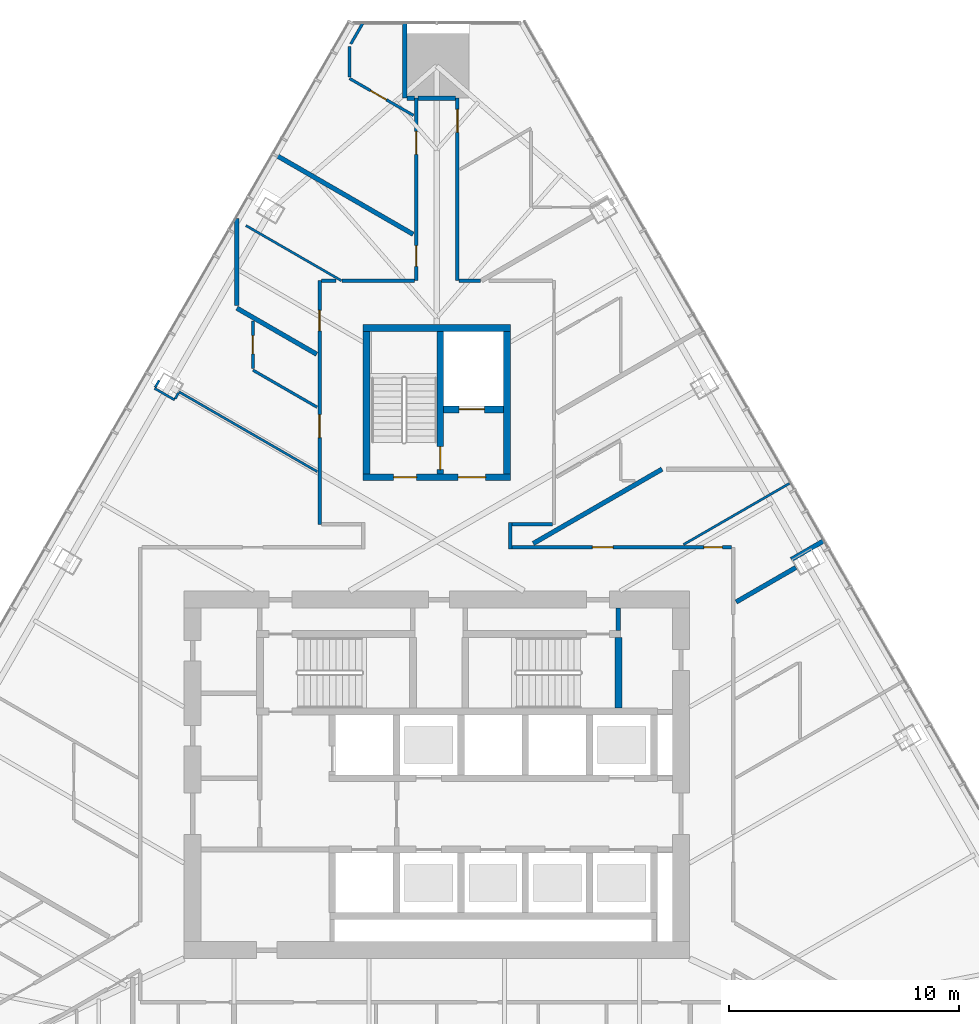
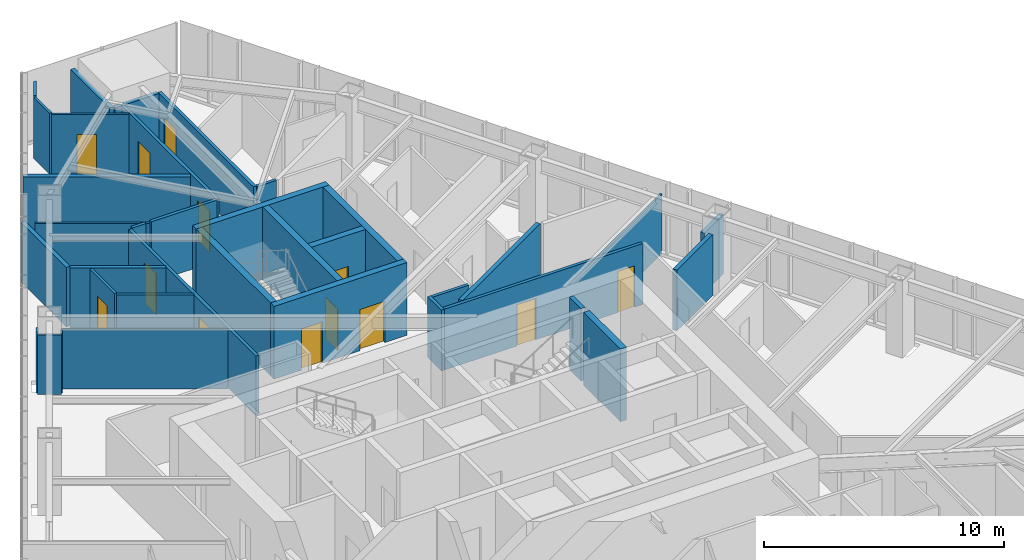
# One storey, part 16 of 19: 37 walls, 13 doors, 13 openings.
"""IFC4 building model written with IfcOpenShell, lengths in metres."""

from ifc_helpers import new_model, si_unit, direction, frame, frame_2d, origin, place, context, subcontext, project, spatial, rectangle, extrude, material, layer, layer_set, type_object, element, fill, save


model = new_model("IFC4")

# Units and contexts
model_context = context("Model", 3, precision=1e-05, world=origin(), true_north=direction((0.0, 1.0)))
body_context = subcontext(model_context, "Body", "Model", "MODEL_VIEW")
ifc_project = project(units=[si_unit("LENGTHUNIT", "METRE"), si_unit("AREAUNIT", "SQUARE_METRE"), si_unit("VOLUMEUNIT", "CUBIC_METRE"), si_unit("PLANEANGLEUNIT", "RADIAN"), si_unit("MASSUNIT", "GRAM", prefix="KILO")], contexts=[model_context])

# Site, building, storey
site_placement = place(None, origin())
site = spatial("IfcSite", under=ifc_project, at=site_placement, CompositionType="ELEMENT")
building_placement = place(site_placement, origin())
building = spatial("IfcBuilding", under=site, at=building_placement, Name="Firuza Gate Tower and Library", CompositionType="ELEMENT")
storey_placement = place(building_placement, frame((0.0, 0.0, 179.199951171875)))
storey = spatial("IfcBuildingStorey", under=building, at=storey_placement, Name="L41", CompositionType="ELEMENT", Elevation=179.199951171875)

# Walls
ifc_material_1 = material(Name="Plasterboard on steel studs", Category="steel")
ifc_layer_1 = layer(ifc_material_1, 0.199951171875)
ifc_layer_set_1 = layer_set([ifc_layer_1], Name="Core partition 200 EI 60")
wall_type_1 = type_object("IfcWallType", Name="Core partition 200 EI 60", PredefinedType="PARTITIONING", material=ifc_layer_set_1)
wall_1_placement = place(storey_placement, frame((82.89990234375, 81.280029296875, 0.0), z_axis=(0.0, 0.0, 1.0), x_axis=(0.0, 1.0, 0.0)))
element("IfcWall", 1, at=wall_1_placement, inside=storey, type_object=wall_type_1, Name="Core partition L41 13", PredefinedType="PARTITIONING", context=body_context, shape_type="SweptSolid", body=[
    extrude(rectangle(XDim=0.969970703125, YDim=0.199951171875, at=frame_2d((0.48486328125, 0.0))), origin(), (0.0, 0.0, 1.0), 3.699951171875),
])
ifc_material_2 = material(Name="Concrete C80/95", Category="concrete")
ifc_layer_2 = layer(ifc_material_2, 0.300048828125)
ifc_layer_set_2 = layer_set([ifc_layer_2], Name="Core wall 300 C80/95")
wall_type_2 = type_object("IfcWallType", Name="Core wall 300 C80/95", PredefinedType="SHEAR", material=ifc_layer_set_2)
wall_2_placement = place(storey_placement, frame((82.89990234375, 77.89990234375, 0.0), z_axis=(0.0, 0.0, 1.0), x_axis=(0.0, 1.0, 0.0)))
element("IfcWall", 2, at=wall_2_placement, inside=storey, type_object=wall_type_2, Name="Core wall L41 26", PredefinedType="SHEAR", context=body_context, shape_type="SweptSolid", body=[
    extrude(rectangle(XDim=3.080078125, YDim=0.300048828125, at=frame_2d((1.5400390625, 0.0))), origin(), (0.0, 0.0, 1.0), 3.699951171875),
])

# Wall, openings, doors
wall_3_placement = place(storey_placement, frame((71.800048828125, 87.949951171875, 0.0), z_axis=(0.0, 0.0, 1.0), x_axis=(1.0, 0.0, 0.0)))
wall_3 = element("IfcWall", 3, at=wall_3_placement, inside=storey, type_object=wall_type_2, Name="Core wall L41 27", PredefinedType="SHEAR", context=body_context, shape_type="SweptSolid", body=[
    extrude(rectangle(XDim=6.39990234375, YDim=0.300048828125, at=frame_2d((3.199951171875, 0.0))), origin(), (0.0, 0.0, 1.0), 3.699951171875),
])
opening_1_placement = place(wall_3_placement, frame((1.324951171875, 0.0, 0.0)))
opening_1 = element("IfcOpeningElement", 4, at=opening_1_placement, cuts=wall_3, Name="Opening L41-K15", PredefinedType="OPENING", context=body_context, shape_type="SweptSolid", body=[
    extrude(rectangle(XDim=1.0, YDim=2.10009765625, at=frame_2d((0.5, 1.050048828125))), frame((0.0, 0.16015625, 0.0), z_axis=(0.0, -1.0, 0.0), x_axis=(1.0, 0.0, 0.0)), (0.0, 0.0, 1.0), 0.320068359375),
])
opening_2_placement = place(wall_3_placement, frame((4.125, 0.0, 0.0)))
opening_2 = element("IfcOpeningElement", 5, at=opening_2_placement, cuts=wall_3, Name="Opening L41-K17", PredefinedType="OPENING", context=body_context, shape_type="SweptSolid", body=[
    extrude(rectangle(XDim=1.199951171875, YDim=2.10009765625, at=frame_2d((0.60009765625, 1.050048828125))), frame((0.0, 0.16015625, 0.0), z_axis=(0.0, -1.0, 0.0), x_axis=(1.0, 0.0, 0.0)), (0.0, 0.0, 1.0), 0.320068359375),
])
ifc_material_3 = material(Name="Steel", Category="steel")
door_type_1 = type_object("IfcDoorType", Name="Fire door 1000x2100 FD90", OperationType="NOTDEFINED", PredefinedType="DOOR", material=ifc_material_3)
door_1_placement = place(opening_1_placement, origin())
door_1 = element("IfcDoor", 6, at=door_1_placement, inside=storey, type_object=door_type_1, Name="Door L41-K15", OperationType="SINGLE_SWING_RIGHT", OverallHeight=2.10009765625, OverallWidth=1.0, PredefinedType="DOOR", context=body_context, shape_type="SweptSolid", body=[
    extrude(rectangle(XDim=1.0, YDim=2.10009765625, at=frame_2d((0.5, 1.050048828125))), frame((0.0, 0.02490234375, 0.0), z_axis=(0.0, -1.0, 0.0), x_axis=(1.0, 0.0, 0.0)), (0.0, 0.0, 1.0), 0.050048828125),
])
fill(opening_1, door_1)
ifc_material_4 = material(Name="Steel", Category="steel")
door_type_2 = type_object("IfcDoorType", Name="Fire door 1200x2100 FD30S", OperationType="NOTDEFINED", PredefinedType="DOOR", material=ifc_material_4)
door_2_placement = place(opening_2_placement, origin())
door_2 = element("IfcDoor", 7, at=door_2_placement, inside=storey, type_object=door_type_2, Name="Door L41-K17", OperationType="SINGLE_SWING_RIGHT", OverallHeight=2.10009765625, OverallWidth=1.199951171875, PredefinedType="DOOR", context=body_context, shape_type="SweptSolid", body=[
    extrude(rectangle(XDim=1.199951171875, YDim=2.10009765625, at=frame_2d((0.60009765625, 1.050048828125))), frame((0.0, 0.02490234375, 0.0), z_axis=(0.0, -1.0, 0.0), x_axis=(1.0, 0.0, 0.0)), (0.0, 0.0, 1.0), 0.050048828125),
])
fill(opening_2, door_2)

# Walls
wall_4_placement = place(storey_placement, frame((71.800048828125, 94.449951171875, 0.0), z_axis=(0.0, 0.0, 1.0), x_axis=(1.0, 0.0, 0.0)))
element("IfcWall", 8, at=wall_4_placement, inside=storey, type_object=wall_type_2, Name="Core wall L41 28", PredefinedType="SHEAR", context=body_context, shape_type="SweptSolid", body=[
    extrude(rectangle(XDim=6.39990234375, YDim=0.300048828125, at=frame_2d((3.199951171875, 0.0))), origin(), (0.0, 0.0, 1.0), 3.699951171875),
])
for number, where, z_axis, x_axis, name in (
    (9, (71.949951171875, 88.10009765625, 0.0), (0.0, 0.0, 1.0), (0.0, 1.0, 0.0), "Core wall L41 29"),
    (10, (78.050048828125, 88.10009765625, 0.0), (0.0, 0.0, 1.0), (0.0, 1.0, 0.0), "Core wall L41 30"),
):
    element("IfcWall", number, at=place(storey_placement, frame(where, z_axis=z_axis, x_axis=x_axis)), inside=storey, type_object=wall_type_2, Name=name, PredefinedType="SHEAR", context=body_context, shape_type="SweptSolid", body=[
        extrude(rectangle(XDim=6.199951171875, YDim=0.300048828125, at=frame_2d((3.10009765625, 0.0))), origin(), (0.0, 0.0, 1.0), 3.699951171875),
    ])

# Wall, opening, door
wall_5_placement = place(storey_placement, frame((75.300048828125, 90.89990234375, 0.0), z_axis=(0.0, 0.0, 1.0), x_axis=(1.0, 0.0, 0.0)))
wall_5 = element("IfcWall", 11, at=wall_5_placement, inside=storey, type_object=wall_type_2, Name="Core wall L41 31", PredefinedType="SHEAR", context=body_context, shape_type="SweptSolid", body=[
    extrude(rectangle(XDim=2.599853515625, YDim=0.300048828125, at=frame_2d((1.2998046875, 0.0))), origin(), (0.0, 0.0, 1.0), 3.699951171875),
])
opening_3_placement = place(wall_5_placement, frame((0.675048828125, 0.0, 0.0)))
opening_3 = element("IfcOpeningElement", 12, at=opening_3_placement, cuts=wall_5, Name="Opening LD-SV1-L41", PredefinedType="OPENING", context=body_context, shape_type="SweptSolid", body=[
    extrude(rectangle(XDim=1.10009765625, YDim=2.10009765625, at=frame_2d((0.550048828125, 1.050048828125))), frame((0.0, 0.16015625, 0.0), z_axis=(0.0, -1.0, 0.0), x_axis=(1.0, 0.0, 0.0)), (0.0, 0.0, 1.0), 0.320068359375),
])
ifc_material_5 = material(Name="Stainless steel", Category="steel")
door_type_3 = type_object("IfcDoorType", Name="Lift landing door 1100x2100", OperationType="DOUBLE_DOOR_SLIDING", PredefinedType="DOOR", material=ifc_material_5)
door_3_placement = place(opening_3_placement, origin())
door_3 = element("IfcDoor", 13, at=door_3_placement, inside=storey, type_object=door_type_3, Name="Landing door SV1 L41", OperationType="DOUBLE_DOOR_SLIDING", OverallHeight=2.10009765625, OverallWidth=1.10009765625, PredefinedType="DOOR", context=body_context, shape_type="SweptSolid", body=[
    extrude(rectangle(XDim=1.10009765625, YDim=2.10009765625, at=frame_2d((0.550048828125, 1.050048828125))), frame((0.0, 0.02490234375, 0.0), z_axis=(0.0, -1.0, 0.0), x_axis=(1.0, 0.0, 0.0)), (0.0, 0.0, 1.0), 0.050048828125),
])
fill(opening_3, door_3)

wall_6_placement = place(storey_placement, frame((75.14990234375, 88.10009765625, 0.0), z_axis=(0.0, 0.0, 1.0), x_axis=(0.0, 1.0, 0.0)))
wall_6 = element("IfcWall", 14, at=wall_6_placement, inside=storey, type_object=wall_type_2, Name="Core wall L41 32", PredefinedType="SHEAR", context=body_context, shape_type="SweptSolid", body=[
    extrude(rectangle(XDim=6.199951171875, YDim=0.300048828125, at=frame_2d((3.10009765625, 0.0))), origin(), (0.0, 0.0, 1.0), 3.699951171875),
])
opening_4_placement = place(wall_6_placement, frame((0.18505859375, 0.0, 0.0)))
opening_4 = element("IfcOpeningElement", 15, at=opening_4_placement, cuts=wall_6, Name="Opening L41-K16", PredefinedType="OPENING", context=body_context, shape_type="SweptSolid", body=[
    extrude(rectangle(XDim=1.0, YDim=2.10009765625, at=frame_2d((0.5, 1.050048828125))), frame((0.0, 0.16015625, 0.0), z_axis=(0.0, -1.0, 0.0), x_axis=(1.0, 0.0, 0.0)), (0.0, 0.0, 1.0), 0.320068359375),
])
door_4_placement = place(opening_4_placement, origin())
door_4 = element("IfcDoor", 16, at=door_4_placement, inside=storey, type_object=door_type_1, Name="Door L41-K16", OperationType="SINGLE_SWING_LEFT", OverallHeight=2.10009765625, OverallWidth=1.0, PredefinedType="DOOR", context=body_context, shape_type="SweptSolid", body=[
    extrude(rectangle(XDim=1.0, YDim=2.10009765625, at=frame_2d((0.5, 1.050048828125))), frame((0.0, 0.02490234375, 0.0), z_axis=(0.0, -1.0, 0.0), x_axis=(1.0, 0.0, 0.0)), (0.0, 0.0, 1.0), 0.050048828125),
])
fill(opening_4, door_4)

# Wall, openings, doors
ifc_material_6 = material(Name="Gypsum board partition")
ifc_layer_3 = layer(ifc_material_6, 0.14990234375)
ifc_layer_set_3 = layer_set([ifc_layer_3], Name="Corridor wall 150 double board on steel studs")
wall_type_3 = type_object("IfcWallType", Name="Corridor wall 150 double board on steel studs", PredefinedType="PARTITIONING", material=ifc_layer_set_3)
wall_7_placement = place(storey_placement, frame((78.27490234375, 84.89990234375, 0.0), z_axis=(0.0, 0.0, 1.0), x_axis=(1.0, 0.0, 0.0)))
wall_7 = element("IfcWall", 17, at=wall_7_placement, inside=storey, type_object=wall_type_3, Name="f:L41:w011", PredefinedType="PARTITIONING", context=body_context, shape_type="SweptSolid", body=[
    extrude(rectangle(XDim=9.550048828125, YDim=0.14990234375, at=frame_2d((4.77490234375, 0.0))), origin(), (0.0, 0.0, 1.0), 3.10009765625),
])
opening_5_placement = place(wall_7_placement, frame((3.4970703125, 0.0, 0.0)))
opening_5 = element("IfcOpeningElement", 18, at=opening_5_placement, cuts=wall_7, Name="Opening L41-10", PredefinedType="OPENING", context=body_context, shape_type="SweptSolid", body=[
    extrude(rectangle(XDim=0.89990234375, YDim=2.10009765625, at=frame_2d((0.449951171875, 1.050048828125))), frame((0.0, 0.0849609375, 0.0), z_axis=(0.0, -1.0, 0.0), x_axis=(1.0, 0.0, 0.0)), (0.0, 0.0, 1.0), 0.169921875),
])
opening_6_placement = place(wall_7_placement, frame((8.3505859375, 0.0, 0.0)))
opening_6 = element("IfcOpeningElement", 19, at=opening_6_placement, cuts=wall_7, Name="Opening L41-11", PredefinedType="OPENING", context=body_context, shape_type="SweptSolid", body=[
    extrude(rectangle(XDim=0.800048828125, YDim=2.10009765625, at=frame_2d((0.39990234375, 1.050048828125))), frame((0.0, 0.0849609375, 0.0), z_axis=(0.0, -1.0, 0.0), x_axis=(1.0, 0.0, 0.0)), (0.0, 0.0, 1.0), 0.169921875),
])
ifc_material_7 = material(Name="Timber door", Category="wood")
door_type_4 = type_object("IfcDoorType", Name="Door 800 x 2100 timber leaf", OperationType="NOTDEFINED", PredefinedType="DOOR", material=ifc_material_7)
door_5_placement = place(opening_6_placement, origin())
door_5 = element("IfcDoor", 20, at=door_5_placement, inside=storey, type_object=door_type_4, Name="f:L41:d011", OperationType="SINGLE_SWING_RIGHT", OverallHeight=2.10009765625, OverallWidth=0.800048828125, PredefinedType="DOOR", context=body_context, shape_type="SweptSolid", body=[
    extrude(rectangle(XDim=0.800048828125, YDim=2.10009765625, at=frame_2d((0.39990234375, 1.050048828125))), frame((0.0, 0.02490234375, 0.0), z_axis=(0.0, -1.0, 0.0), x_axis=(1.0, 0.0, 0.0)), (0.0, 0.0, 1.0), 0.050048828125),
])
fill(opening_6, door_5)
ifc_material_8 = material(Name="Steel door and timber leaf", Category="steel")
door_type_5 = type_object("IfcDoorType", Name="Fire door 900 x 2100 steel frame, timber leaf", OperationType="NOTDEFINED", PredefinedType="DOOR", material=ifc_material_8)
door_6_placement = place(opening_5_placement, origin())
door_6 = element("IfcDoor", 21, at=door_6_placement, inside=storey, type_object=door_type_5, Name="f:L41:d010", OperationType="SINGLE_SWING_LEFT", OverallHeight=2.10009765625, OverallWidth=0.89990234375, PredefinedType="DOOR", context=body_context, shape_type="SweptSolid", body=[
    extrude(rectangle(XDim=0.89990234375, YDim=2.10009765625, at=frame_2d((0.449951171875, 1.050048828125))), frame((0.0, 0.02490234375, 0.0), z_axis=(0.0, -1.0, 0.0), x_axis=(1.0, 0.0, 0.0)), (0.0, 0.0, 1.0), 0.050048828125),
])
fill(opening_5, door_6)

# Walls
wall_8_placement = place(storey_placement, frame((78.27490234375, 85.89990234375, 0.0), z_axis=(0.0, 0.0, 1.0), x_axis=(1.0, 0.0, 0.0)))
element("IfcWall", 22, at=wall_8_placement, inside=storey, type_object=wall_type_3, Name="f:L41:w013", PredefinedType="PARTITIONING", context=body_context, shape_type="SweptSolid", body=[
    extrude(rectangle(XDim=1.75, YDim=0.14990234375, at=frame_2d((0.875, 0.0))), origin(), (0.0, 0.0, 1.0), 3.10009765625),
])
wall_9_placement = place(storey_placement, frame((69.97509765625, 96.5, 0.0), z_axis=(0.0, 0.0, 1.0), x_axis=(1.0, 0.0, 0.0)))
element("IfcWall", 23, at=wall_9_placement, inside=storey, type_object=wall_type_3, Name="f:L41:w016", PredefinedType="PARTITIONING", context=body_context, shape_type="SweptSolid", body=[
    extrude(rectangle(XDim=0.64599609375, YDim=0.14990234375, at=frame_2d((0.322998046875, 0.0))), origin(), (0.0, 0.0, 1.0), 3.10009765625),
])
wall_10_placement = place(storey_placement, frame((75.97509765625, 96.5, 0.0), z_axis=(0.0, 0.0, 1.0), x_axis=(1.0, 0.0, 0.0)))
element("IfcWall", 24, at=wall_10_placement, inside=storey, type_object=wall_type_3, Name="f:L41:w017", PredefinedType="PARTITIONING", context=body_context, shape_type="SweptSolid", body=[
    extrude(rectangle(XDim=0.92529296875, YDim=0.14990234375, at=frame_2d((0.462646484375, 0.0))), origin(), (0.0, 0.0, 1.0), 3.10009765625),
])
wall_11_placement = place(storey_placement, frame((78.199951171875, 84.824951171875, 0.0), z_axis=(0.0, 0.0, 1.0), x_axis=(0.0, 1.0, 0.0)))
element("IfcWall", 25, at=wall_11_placement, inside=storey, type_object=wall_type_3, Name="f:L41:w057", PredefinedType="PARTITIONING", context=body_context, shape_type="SweptSolid", body=[
    extrude(rectangle(XDim=1.150146484375, YDim=0.14990234375, at=frame_2d((0.5751953125, 0.0))), origin(), (0.0, 0.0, 1.0), 3.10009765625),
])

# Wall, opening, door
wall_12_placement = place(storey_placement, frame((75.89990234375, 104.444580078125, 0.0), z_axis=(0.0, 0.0, 1.0), x_axis=(0.0, -1.0, 0.0)))
wall_12 = element("IfcWall", 26, at=wall_12_placement, inside=storey, type_object=wall_type_3, Name="f:L41:w058", PredefinedType="PARTITIONING", context=body_context, shape_type="SweptSolid", body=[
    extrude(rectangle(XDim=7.944580078125, YDim=0.14990234375, at=frame_2d((3.97216796875, 0.0))), origin(), (0.0, 0.0, 1.0), 3.10009765625),
])
opening_7_placement = place(wall_12_placement, frame((0.49462890625, 0.0, 0.0)))
opening_7 = element("IfcOpeningElement", 27, at=opening_7_placement, cuts=wall_12, Name="Opening L41-29", PredefinedType="OPENING", context=body_context, shape_type="SweptSolid", body=[
    extrude(rectangle(XDim=1.0, YDim=2.10009765625, at=frame_2d((0.5, 1.050048828125))), frame((0.0, 0.0849609375, 0.0), z_axis=(0.0, -1.0, 0.0), x_axis=(1.0, 0.0, 0.0)), (0.0, 0.0, 1.0), 0.169921875),
])
ifc_material_9 = material(Name="Steel door and timber leaf", Category="steel")
door_type_6 = type_object("IfcDoorType", Name="Fire door 1000 x 2100 steel frame, timber leaf", OperationType="NOTDEFINED", PredefinedType="DOOR", material=ifc_material_9)
door_7_placement = place(opening_7_placement, origin())
door_7 = element("IfcDoor", 28, at=door_7_placement, inside=storey, type_object=door_type_6, Name="f:L41:d029", OperationType="SINGLE_SWING_LEFT", OverallHeight=2.10009765625, OverallWidth=1.0, PredefinedType="DOOR", context=body_context, shape_type="SweptSolid", body=[
    extrude(rectangle(XDim=1.0, YDim=2.10009765625, at=frame_2d((0.5, 1.050048828125))), frame((0.0, 0.02490234375, 0.0), z_axis=(0.0, -1.0, 0.0), x_axis=(1.0, 0.0, 0.0)), (0.0, 0.0, 1.0), 0.050048828125),
])
fill(opening_7, door_7)

# Wall, openings, doors
wall_13_placement = place(storey_placement, frame((74.10009765625, 96.5, 0.0), z_axis=(0.0, 0.0, 1.0), x_axis=(0.0, 1.0, 0.0)))
wall_13 = element("IfcWall", 29, at=wall_13_placement, inside=storey, type_object=wall_type_3, Name="f:L41:w061", PredefinedType="PARTITIONING", context=body_context, shape_type="SweptSolid", body=[
    extrude(rectangle(XDim=7.945068359375, YDim=0.14990234375, at=frame_2d((3.97265625, 0.0))), origin(), (0.0, 0.0, 1.0), 3.10009765625),
])
opening_8_placement = place(wall_13_placement, frame((0.6240234375, 0.0, 0.0)))
opening_8 = element("IfcOpeningElement", 30, at=opening_8_placement, cuts=wall_13, Name="Opening L41-30", PredefinedType="OPENING", context=body_context, shape_type="SweptSolid", body=[
    extrude(rectangle(XDim=0.89990234375, YDim=2.10009765625, at=frame_2d((0.449951171875, 1.050048828125))), frame((0.0, 0.0849609375, 0.0), z_axis=(0.0, -1.0, 0.0), x_axis=(1.0, 0.0, 0.0)), (0.0, 0.0, 1.0), 0.169921875),
])
opening_9_placement = place(wall_13_placement, frame((5.5009765625, 0.0, 0.0)))
opening_9 = element("IfcOpeningElement", 31, at=opening_9_placement, cuts=wall_13, Name="Opening L41-31", PredefinedType="OPENING", context=body_context, shape_type="SweptSolid", body=[
    extrude(rectangle(XDim=1.0, YDim=2.10009765625, at=frame_2d((0.5, 1.050048828125))), frame((0.0, 0.0849609375, 0.0), z_axis=(0.0, -1.0, 0.0), x_axis=(1.0, 0.0, 0.0)), (0.0, 0.0, 1.0), 0.169921875),
])
door_8_placement = place(opening_9_placement, origin())
door_8 = element("IfcDoor", 32, at=door_8_placement, inside=storey, type_object=door_type_6, Name="f:L41:d031", OperationType="SINGLE_SWING_RIGHT", OverallHeight=2.10009765625, OverallWidth=1.0, PredefinedType="DOOR", context=body_context, shape_type="SweptSolid", body=[
    extrude(rectangle(XDim=1.0, YDim=2.10009765625, at=frame_2d((0.5, 1.050048828125))), frame((0.0, 0.02490234375, 0.0), z_axis=(0.0, -1.0, 0.0), x_axis=(1.0, 0.0, 0.0)), (0.0, 0.0, 1.0), 0.050048828125),
])
fill(opening_9, door_8)
door_9_placement = place(opening_8_placement, origin())
door_9 = element("IfcDoor", 33, at=door_9_placement, inside=storey, type_object=door_type_5, Name="f:L41:d030", OperationType="SINGLE_SWING_RIGHT", OverallHeight=2.10009765625, OverallWidth=0.89990234375, PredefinedType="DOOR", context=body_context, shape_type="SweptSolid", body=[
    extrude(rectangle(XDim=0.89990234375, YDim=2.10009765625, at=frame_2d((0.449951171875, 1.050048828125))), frame((0.0, 0.02490234375, 0.0), z_axis=(0.0, -1.0, 0.0), x_axis=(1.0, 0.0, 0.0)), (0.0, 0.0, 1.0), 0.050048828125),
])
fill(opening_8, door_9)

wall_14_placement = place(storey_placement, frame((69.89990234375, 85.900390625, 0.0), z_axis=(0.0, 0.0, 1.0), x_axis=(0.0, 1.0, 0.0)))
wall_14 = element("IfcWall", 34, at=wall_14_placement, inside=storey, type_object=wall_type_3, Name="f:L41:w067", PredefinedType="PARTITIONING", context=body_context, shape_type="SweptSolid", body=[
    extrude(rectangle(XDim=10.599609375, YDim=0.14990234375, at=frame_2d((5.2998046875, 0.0))), origin(), (0.0, 0.0, 1.0), 3.02197265625),
])
opening_10_placement = place(wall_14_placement, frame((3.76708984375, 0.0, 0.0)))
opening_10 = element("IfcOpeningElement", 35, at=opening_10_placement, cuts=wall_14, Name="Opening L41-33", PredefinedType="OPENING", context=body_context, shape_type="SweptSolid", body=[
    extrude(rectangle(XDim=1.0, YDim=2.10009765625, at=frame_2d((0.5, 1.050048828125))), frame((0.0, 0.0849609375, 0.0), z_axis=(0.0, -1.0, 0.0), x_axis=(1.0, 0.0, 0.0)), (0.0, 0.0, 1.0), 0.169921875),
])
opening_11_placement = place(wall_14_placement, frame((8.411865234375, 0.0, 0.0)))
opening_11 = element("IfcOpeningElement", 36, at=opening_11_placement, cuts=wall_14, Name="Opening L41-34", PredefinedType="OPENING", context=body_context, shape_type="SweptSolid", body=[
    extrude(rectangle(XDim=0.89990234375, YDim=2.10009765625, at=frame_2d((0.449951171875, 1.050048828125))), frame((0.0, 0.0849609375, 0.0), z_axis=(0.0, -1.0, 0.0), x_axis=(1.0, 0.0, 0.0)), (0.0, 0.0, 1.0), 0.169921875),
])
door_10_placement = place(opening_10_placement, origin())
door_10 = element("IfcDoor", 37, at=door_10_placement, inside=storey, type_object=door_type_6, Name="f:L41:d033", OperationType="SINGLE_SWING_RIGHT", OverallHeight=2.10009765625, OverallWidth=1.0, PredefinedType="DOOR", context=body_context, shape_type="SweptSolid", body=[
    extrude(rectangle(XDim=1.0, YDim=2.10009765625, at=frame_2d((0.5, 1.050048828125))), frame((0.0, 0.02490234375, 0.0), z_axis=(0.0, -1.0, 0.0), x_axis=(1.0, 0.0, 0.0)), (0.0, 0.0, 1.0), 0.050048828125),
])
fill(opening_10, door_10)
door_11_placement = place(opening_11_placement, origin())
door_11 = element("IfcDoor", 38, at=door_11_placement, inside=storey, type_object=door_type_5, Name="f:L41:d034", OperationType="SINGLE_SWING_LEFT", OverallHeight=2.10009765625, OverallWidth=0.89990234375, PredefinedType="DOOR", context=body_context, shape_type="SweptSolid", body=[
    extrude(rectangle(XDim=0.89990234375, YDim=2.10009765625, at=frame_2d((0.449951171875, 1.050048828125))), frame((0.0, 0.02490234375, 0.0), z_axis=(0.0, -1.0, 0.0), x_axis=(1.0, 0.0, 0.0)), (0.0, 0.0, 1.0), 0.050048828125),
])
fill(opening_11, door_11)

# Walls
wall_15_placement = place(storey_placement, frame((70.87548828125, 96.5, 0.0), z_axis=(0.0, 0.0, 1.0), x_axis=(1.0, 0.0, 0.0)))
element("IfcWall", 39, at=wall_15_placement, inside=storey, type_object=wall_type_3, Name="f:L41:w100", PredefinedType="PARTITIONING", context=body_context, shape_type="SweptSolid", body=[
    extrude(rectangle(XDim=3.1494140625, YDim=0.14990234375, at=frame_2d((1.57470703125, 0.0))), origin(), (0.0, 0.0, 1.0), 3.10009765625),
])
ifc_material_10 = material(Name="Gypsum board partition")
ifc_layer_4 = layer(ifc_material_10, 0.199951171875)
ifc_layer_set_4 = layer_set([ifc_layer_4], Name="Demising wall 200 acoustic double stud")
wall_type_4 = type_object("IfcWallType", Name="Demising wall 200 acoustic double stud", PredefinedType="PARTITIONING", material=ifc_layer_set_4)
wall_16_placement = place(storey_placement, frame((73.700439453125, 104.445068359375, 0.0), z_axis=(0.0, 0.0, 1.0), x_axis=(1.0, 0.0, 0.0)))
element("IfcWall", 40, at=wall_16_placement, inside=storey, type_object=wall_type_4, Name="f:L41:w019", PredefinedType="PARTITIONING", context=body_context, shape_type="SweptSolid", body=[
    extrude(rectangle(XDim=0.324462890625, YDim=0.199951171875, at=frame_2d((0.162109375, 0.0))), origin(), (0.0, 0.0, 1.0), 3.10009765625),
])
wall_17_placement = place(storey_placement, frame((88.02685546875, 82.521240234375, 0.0), z_axis=(0.0, 0.0, 1.0), x_axis=(0.866029639064, 0.499992664208, 0.0)))
element("IfcWall", 41, at=wall_17_placement, inside=storey, type_object=wall_type_4, Name="f:L41:w026", PredefinedType="PARTITIONING", context=body_context, shape_type="SweptSolid", body=[
    extrude(rectangle(XDim=2.998046875, YDim=0.199951171875, at=frame_2d((1.4990234375, 0.0))), origin(), (0.0, 0.0, 1.0), 3.10009765625),
])
wall_18_placement = place(storey_placement, frame((90.42333984375, 84.36669921875, 0.0), z_axis=(0.0, 0.0, 1.0), x_axis=(0.865989903783, 0.500061482766, 0.0)))
element("IfcWall", 42, at=wall_18_placement, inside=storey, type_object=wall_type_4, Name="f:L41:w027", PredefinedType="PARTITIONING", context=body_context, shape_type="SweptSolid", body=[
    extrude(rectangle(XDim=1.599853515625, YDim=0.199951171875, at=frame_2d((0.7998046875, 0.0))), origin(), (0.0, 0.0, 1.0), 3.02197265625),
])
wall_19_placement = place(storey_placement, frame((79.197265625, 85.065185546875, 0.0), z_axis=(0.0, 0.0, 1.0), x_axis=(0.86602410867, 0.500002243197, 0.0)))
element("IfcWall", 43, at=wall_19_placement, inside=storey, type_object=wall_type_4, Name="f:L41:w032", PredefinedType="PARTITIONING", context=body_context, shape_type="SweptSolid", body=[
    extrude(rectangle(XDim=6.470703125, YDim=0.199951171875, at=frame_2d((3.2353515625, 0.0))), origin(), (0.0, 0.0, 1.0), 3.10009765625),
])
wall_20_placement = place(storey_placement, frame((73.60009765625, 104.44580078125, 0.0), z_axis=(0.0, 0.0, 1.0), x_axis=(0.0, 1.0, 0.0)))
element("IfcWall", 44, at=wall_20_placement, inside=storey, type_object=wall_type_4, Name="f:L41:w062", PredefinedType="PARTITIONING", context=body_context, shape_type="SweptSolid", body=[
    extrude(rectangle(XDim=3.25927734375, YDim=0.199951171875, at=frame_2d((1.629638671875, 0.0))), origin(), (0.0, 0.0, 1.0), 3.10009765625),
])
wall_21_placement = place(storey_placement, frame((66.300048828125, 95.422607421875, 0.0), z_axis=(0.0, 0.0, 1.0), x_axis=(0.0, 1.0, 0.0)))
element("IfcWall", 45, at=wall_21_placement, inside=storey, type_object=wall_type_4, Name="f:L41:w070", PredefinedType="PARTITIONING", context=body_context, shape_type="SweptSolid", body=[
    extrude(rectangle(XDim=3.7890625, YDim=0.199951171875, at=frame_2d((1.89453125, 0.0))), origin(), (0.0, 0.0, 1.0), 3.02197265625),
])
wall_22_placement = place(storey_placement, frame((73.97314453125, 98.518310546875, 0.0), z_axis=(0.0, 0.0, 1.0), x_axis=(-0.866016957496, 0.500014629116, 0.0)))
element("IfcWall", 46, at=wall_22_placement, inside=storey, type_object=wall_type_4, Name="f:L41:w084", PredefinedType="PARTITIONING", context=body_context, shape_type="SweptSolid", body=[
    extrude(rectangle(XDim=6.991943359375, YDim=0.199951171875, at=frame_2d((3.49609375, 0.0))), origin(), (0.0, 0.0, 1.0), 3.10009765625),
])
wall_23_placement = place(storey_placement, frame((69.773193359375, 93.301513671875, 0.0), z_axis=(0.0, 0.0, 1.0), x_axis=(-0.866046692957, 0.499963124258, 0.0)))
element("IfcWall", 47, at=wall_23_placement, inside=storey, type_object=wall_type_4, Name="f:L41:w086", PredefinedType="PARTITIONING", context=body_context, shape_type="SweptSolid", body=[
    extrude(rectangle(XDim=4.010009765625, YDim=0.199951171875, at=frame_2d((2.0048828125, 0.0))), origin(), (0.0, 0.0, 1.0), 3.10009765625),
])
wall_24_placement = place(storey_placement, frame((74.175048828125, 104.445068359375, 0.0), z_axis=(0.0, 0.0, 1.0), x_axis=(1.0, 0.0, 0.0)))
element("IfcWall", 48, at=wall_24_placement, inside=storey, type_object=wall_type_4, Name="f:L41:w102", PredefinedType="PARTITIONING", context=body_context, shape_type="SweptSolid", body=[
    extrude(rectangle(XDim=1.6494140625, YDim=0.199951171875, at=frame_2d((0.82470703125, 0.0))), origin(), (0.0, 0.0, 1.0), 3.09716796875),
])
ifc_material_11 = material(Name="Gypsum board partition")
ifc_layer_5 = layer(ifc_material_11, 0.10009765625)
ifc_layer_set_5 = layer_set([ifc_layer_5], Name="Partition 100 gypsum board on steel studs")
wall_type_5 = type_object("IfcWallType", Name="Partition 100 gypsum board on steel studs", PredefinedType="PARTITIONING", material=ifc_layer_set_5)
wall_25_placement = place(storey_placement, frame((85.737060546875, 85.02001953125, 0.0), z_axis=(0.0, 0.0, 1.0), x_axis=(0.8660338432, 0.499985382219, 0.0)))
element("IfcWall", 49, at=wall_25_placement, inside=storey, type_object=wall_type_5, Name="f:L41:w029", PredefinedType="PARTITIONING", context=body_context, shape_type="SweptSolid", body=[
    extrude(rectangle(XDim=5.331787109375, YDim=0.10009765625, at=frame_2d((2.666015625, 0.0))), origin(), (0.0, 0.0, 1.0), 3.02197265625),
])
wall_26_placement = place(storey_placement, frame((63.6142578125, 91.35888671875, 0.0), z_axis=(0.0, 0.0, 1.0), x_axis=(0.499557828523, 0.866280541142, 0.0)))
element("IfcWall", 50, at=wall_26_placement, inside=storey, type_object=wall_type_5, Name="f:L41:w040", PredefinedType="PARTITIONING", context=body_context, shape_type="SweptSolid", body=[
    extrude(rectangle(XDim=0.299560546875, YDim=0.10009765625, at=frame_2d((0.14990234375, 0.0))), origin(), (0.0, 0.0, 1.0), 3.02197265625),
])
wall_27_placement = place(storey_placement, frame((62.748046875, 91.85888671875, 0.0), z_axis=(0.0, 0.0, 1.0), x_axis=(0.500044870432, 0.865999496279, 0.0)))
element("IfcWall", 51, at=wall_27_placement, inside=storey, type_object=wall_type_5, Name="f:L41:w041", PredefinedType="PARTITIONING", context=body_context, shape_type="SweptSolid", body=[
    extrude(rectangle(XDim=0.349609375, YDim=0.10009765625, at=frame_2d((0.1748046875, 0.0))), origin(), (0.0, 0.0, 1.0), 3.10009765625),
])
wall_28_placement = place(storey_placement, frame((70.8505859375, 96.500244140625, 0.0), z_axis=(0.0, 0.0, 1.0), x_axis=(-0.866016914842, 0.500014702992, 0.0)))
element("IfcWall", 52, at=wall_28_placement, inside=storey, type_object=wall_type_5, Name="f:L41:w085", PredefinedType="PARTITIONING", context=body_context, shape_type="SweptSolid", body=[
    extrude(rectangle(XDim=4.796630859375, YDim=0.10009765625, at=frame_2d((2.3984375, 0.0))), origin(), (0.0, 0.0, 1.0), 3.02197265625),
])
wall_29_placement = place(storey_placement, frame((69.799072265625, 88.19189453125, 0.0), z_axis=(0.0, 0.0, 1.0), x_axis=(-0.866013353477, 0.500020871164, 0.0)))
element("IfcWall", 53, at=wall_29_placement, inside=storey, type_object=wall_type_5, Name="f:L41:w088", PredefinedType="PARTITIONING", context=body_context, shape_type="SweptSolid", body=[
    extrude(rectangle(XDim=6.940185546875, YDim=0.10009765625, at=frame_2d((3.47021484375, 0.0))), origin(), (0.0, 0.0, 1.0), 3.02197265625),
])
wall_30_placement = place(storey_placement, frame((63.58837890625, 91.31591796875, 0.0), z_axis=(0.0, 0.0, 1.0), x_axis=(-0.866039090965, 0.499976292358, 0.0)))
element("IfcWall", 54, at=wall_30_placement, inside=storey, type_object=wall_type_5, Name="f:L41:w089", PredefinedType="PARTITIONING", context=body_context, shape_type="SweptSolid", body=[
    extrude(rectangle(XDim=0.9990234375, YDim=0.10009765625, at=frame_2d((0.49951171875, 0.0))), origin(), (0.0, 0.0, 1.0), 3.02197265625),
])
ifc_material_12 = material(Name="Gypsum board partition")
ifc_layer_6 = layer(ifc_material_12, 0.1201171875)
ifc_layer_set_6 = layer_set([ifc_layer_6], Name="Wet-area partition 120 moisture-resistant board")
wall_type_6 = type_object("IfcWallType", Name="Wet-area partition 120 moisture-resistant board", PredefinedType="PARTITIONING", material=ifc_layer_set_6)
wall_31_placement = place(storey_placement, frame((71.26025390625, 106.802490234375, 0.0), z_axis=(0.0, 0.0, 1.0), x_axis=(0.500094169602, 0.865971028112, 0.0)))
element("IfcWall", 55, at=wall_31_placement, inside=storey, type_object=wall_type_6, Name="f:L41:w042", PredefinedType="PARTITIONING", context=body_context, shape_type="SweptSolid", body=[
    extrude(rectangle(XDim=1.042236328125, YDim=0.1201171875, at=frame_2d((0.52099609375, 0.0))), origin(), (0.0, 0.0, 1.0), 3.10009765625),
])
wall_32_placement = place(storey_placement, frame((71.199951171875, 105.369384765625, 0.0), z_axis=(0.0, 0.0, 1.0), x_axis=(0.0, 1.0, 0.0)))
element("IfcWall", 56, at=wall_32_placement, inside=storey, type_object=wall_type_6, Name="f:L41:w066", PredefinedType="PARTITIONING", context=body_context, shape_type="SweptSolid", body=[
    extrude(rectangle(XDim=1.329345703125, YDim=0.1201171875, at=frame_2d((0.66455078125, 0.0))), origin(), (0.0, 0.0, 1.0), 3.10009765625),
])

# Wall, opening, door
wall_33_placement = place(storey_placement, frame((67.0, 94.74658203125, 0.0), z_axis=(0.0, 0.0, 1.0), x_axis=(0.0, -1.0, 0.0)))
wall_33 = element("IfcWall", 57, at=wall_33_placement, inside=storey, type_object=wall_type_6, Name="f:L41:w068", PredefinedType="PARTITIONING", context=body_context, shape_type="SweptSolid", body=[
    extrude(rectangle(XDim=2.067626953125, YDim=0.1201171875, at=frame_2d((1.03369140625, 0.0))), origin(), (0.0, 0.0, 1.0), 3.10009765625),
])
opening_12_placement = place(wall_33_placement, frame((0.6337890625, 0.0, 0.0)))
opening_12 = element("IfcOpeningElement", 58, at=opening_12_placement, cuts=wall_33, Name="Opening L41-35", PredefinedType="OPENING", context=body_context, shape_type="SweptSolid", body=[
    extrude(rectangle(XDim=0.800048828125, YDim=2.10009765625, at=frame_2d((0.39990234375, 1.050048828125))), frame((0.0, 0.070068359375, 0.0), z_axis=(0.0, -1.0, 0.0), x_axis=(1.0, 0.0, 0.0)), (0.0, 0.0, 1.0), 0.14013671875),
])
door_12_placement = place(opening_12_placement, origin())
door_12 = element("IfcDoor", 59, at=door_12_placement, inside=storey, type_object=door_type_4, Name="f:L41:d035", OperationType="SINGLE_SWING_RIGHT", OverallHeight=2.10009765625, OverallWidth=0.800048828125, PredefinedType="DOOR", context=body_context, shape_type="SweptSolid", body=[
    extrude(rectangle(XDim=0.800048828125, YDim=2.10009765625, at=frame_2d((0.39990234375, 1.050048828125))), frame((0.0, 0.02490234375, 0.0), z_axis=(0.0, -1.0, 0.0), x_axis=(1.0, 0.0, 0.0)), (0.0, 0.0, 1.0), 0.050048828125),
])
fill(opening_12, door_12)

wall_34_placement = place(storey_placement, frame((71.2001953125, 105.300537109375, 0.0), z_axis=(0.0, 0.0, 1.0), x_axis=(0.866010186656, -0.500026355914, 0.0)))
wall_34 = element("IfcWall", 60, at=wall_34_placement, inside=storey, type_object=wall_type_6, Name="f:L41:w083", PredefinedType="PARTITIONING", context=body_context, shape_type="SweptSolid", body=[
    extrude(rectangle(XDim=3.221923828125, YDim=0.1201171875, at=frame_2d((1.61083984375, 0.0))), origin(), (0.0, 0.0, 1.0), 3.10009765625),
])
opening_13_placement = place(wall_34_placement, frame((1.06103515625, 0.0, 0.0)))
opening_13 = element("IfcOpeningElement", 61, at=opening_13_placement, cuts=wall_34, Name="Opening L41-38", PredefinedType="OPENING", context=body_context, shape_type="SweptSolid", body=[
    extrude(rectangle(XDim=0.800048828125, YDim=2.10009765625, at=frame_2d((0.39990234375, 1.050048828125))), frame((0.0, 0.070068359375, 0.0), z_axis=(0.0, -1.0, 0.0), x_axis=(1.0, 0.0, 0.0)), (0.0, 0.0, 1.0), 0.14013671875),
])
door_13_placement = place(opening_13_placement, origin())
door_13 = element("IfcDoor", 62, at=door_13_placement, inside=storey, type_object=door_type_4, Name="f:L41:d038", OperationType="SINGLE_SWING_RIGHT", OverallHeight=2.10009765625, OverallWidth=0.800048828125, PredefinedType="DOOR", context=body_context, shape_type="SweptSolid", body=[
    extrude(rectangle(XDim=0.800048828125, YDim=2.10009765625, at=frame_2d((0.39990234375, 1.050048828125))), frame((0.0, 0.02490234375, 0.0), z_axis=(0.0, -1.0, 0.0), x_axis=(1.0, 0.0, 0.0)), (0.0, 0.0, 1.0), 0.050048828125),
])
fill(opening_13, door_13)

# Wall
wall_35_placement = place(storey_placement, frame((69.790283203125, 90.998291015625, 0.0), z_axis=(0.0, 0.0, 1.0), x_axis=(-0.866029130051, 0.499993545862, 0.0)))
element("IfcWall", 63, at=wall_35_placement, inside=storey, type_object=wall_type_6, Name="f:L41:w087", PredefinedType="PARTITIONING", context=body_context, shape_type="SweptSolid", body=[
    extrude(rectangle(XDim=3.22216796875, YDim=0.1201171875, at=frame_2d((1.611083984375, 0.0))), origin(), (0.0, 0.0, 1.0), 3.10009765625),
])

save(model, "model.ifc")
